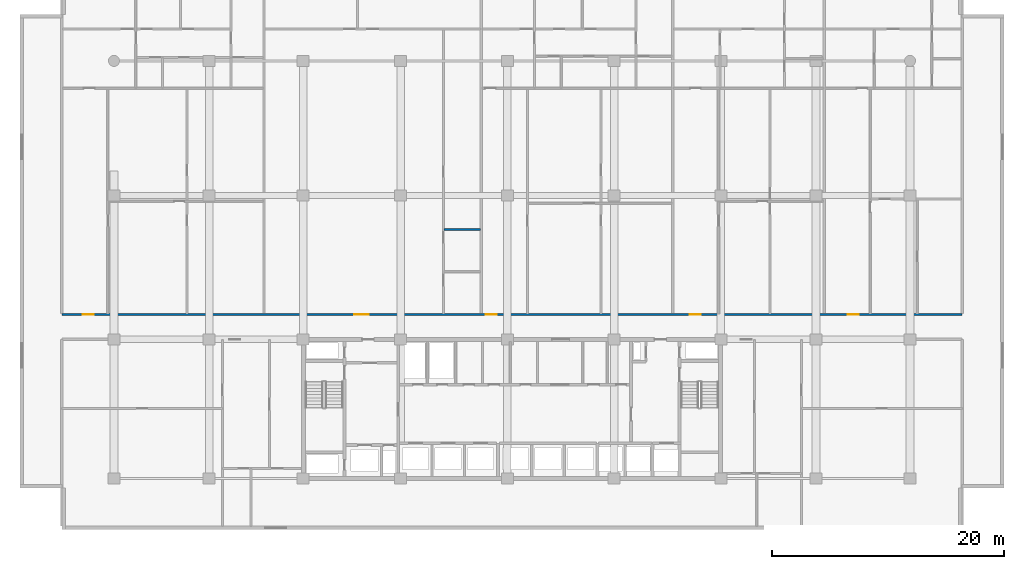
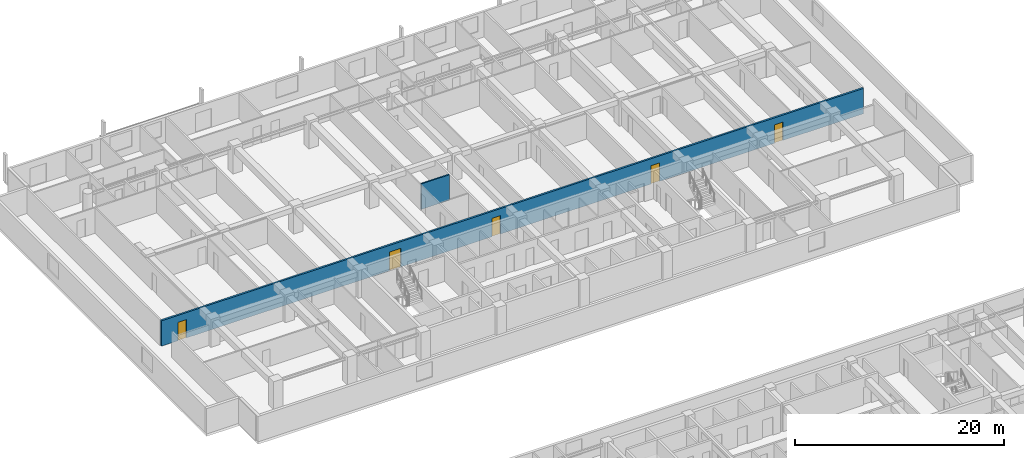
# One storey, part 13 of 23: 5 doors, 2 walls, 5 openings.
"""IFC4 building model written with IfcOpenShell, lengths in metres."""

import ifcopenshell
import ifcopenshell.guid

model = None  # the IFC model being written
_history = None  # IfcOwnerHistory: only IFC2X3 demands one
_inside = {}  # id of a spatial element -> (the spatial element, [elements in it])
_under = {}  # id of a project, library or spatial element -> (it, [spatial elements below it])
_declared = {}  # id of a project -> (the project, [libraries it declares])
_typed = {}  # id of a type object -> (the type object, [elements of that type])
_made_of = {}  # id of a material, layer set ... -> (it, [elements and type objects made of it])


def new_model(schema):
    """Start an empty IFC model of exactly this schema.

    Asked for "IFC4X3", IfcOpenShell would pick the latest addendum, in which some entities
    have other attributes; the version numbers below select the first issue.
    IFC2X3 requires an IfcOwnerHistory on every rooted entity: one is made here for all.
    """
    global model, _history
    if schema == "IFC4X3":
        model = ifcopenshell.file(schema_version=(4, 3, 0, 0))
    else:
        model = ifcopenshell.file(schema=schema)
    _inside.clear()
    _under.clear()
    _declared.clear()
    _typed.clear()
    _made_of.clear()
    _history = None
    if model.schema == "IFC2X3":
        org = make("IfcOrganization", Name="unknown")
        user = make(
            "IfcPersonAndOrganization",
            ThePerson=make("IfcPerson", FamilyName="unknown"),
            TheOrganization=org,
        )
        app = make(
            "IfcApplication",
            ApplicationDeveloper=org,
            Version="unknown",
            ApplicationFullName="unknown",
            ApplicationIdentifier="unknown",
        )
        _history = make(
            "IfcOwnerHistory",
            OwningUser=user,
            OwningApplication=app,
            ChangeAction="ADDED",
            CreationDate=0,
        )
    return model


def make(cls, **values):
    """One entity of the class cls with the attributes given. An attribute that is None is left unset."""
    return model.create_entity(
        cls, **{name: value for name, value in values.items() if value is not None}
    )


def rooted(cls, **values):
    """An entity with a GlobalId (a new one), such as an element, a storey or a relation."""
    return make(cls, GlobalId=ifcopenshell.guid.new(), OwnerHistory=_history, **values)


def si_unit(unit_type, name, prefix=None):
    """IfcSIUnit, for example si_unit("LENGTHUNIT", "METRE", prefix="MILLI")."""
    return make("IfcSIUnit", UnitType=unit_type, Prefix=prefix, Name=name)


def assignment(units):
    """IfcUnitAssignment: the units of a project."""
    return None if units is None else make("IfcUnitAssignment", Units=units)


def point(xyz):
    """IfcCartesianPoint."""
    return None if xyz is None else make("IfcCartesianPoint", Coordinates=xyz)


def direction(xyz):
    """IfcDirection."""
    return None if xyz is None else make("IfcDirection", DirectionRatios=xyz)


def frame(location, z_axis=None, x_axis=None):
    """IfcAxis2Placement3D, a coordinate frame: its origin and axes. An axis left out is left unset."""
    return make(
        "IfcAxis2Placement3D",
        Location=point(location),
        Axis=direction(z_axis),
        RefDirection=direction(x_axis),
    )


def frame_2d(location, x_axis=None):
    """IfcAxis2Placement2D, a coordinate frame in the plane: its origin and x axis."""
    return make(
        "IfcAxis2Placement2D", Location=point(location), RefDirection=direction(x_axis)
    )


def origin():
    """The frame at (0, 0, 0) with its axes left unset."""
    return frame((0.0, 0.0, 0.0))


def place(relative_to, where):
    """IfcLocalPlacement: puts the frame where relative to a parent placement (None: the world)."""
    return make(
        "IfcLocalPlacement", PlacementRelTo=relative_to, RelativePlacement=where
    )


def context(
    kind, dimensions, precision=None, world=None, true_north=None, identifier=None
):
    """IfcGeometricRepresentationContext, for example the 3D "Model" context."""
    return make(
        "IfcGeometricRepresentationContext",
        ContextIdentifier=identifier,
        ContextType=kind,
        CoordinateSpaceDimension=dimensions,
        Precision=precision,
        WorldCoordinateSystem=world,
        TrueNorth=true_north,
    )


def subcontext(parent, identifier, kind, view, scale=None):
    """IfcGeometricRepresentationSubContext, for example "Body" below "Model"."""
    return make(
        "IfcGeometricRepresentationSubContext",
        ContextIdentifier=identifier,
        ContextType=kind,
        ParentContext=parent,
        TargetScale=scale,
        TargetView=view,
    )


def project(units=None, contexts=None):
    """IfcProject with its units and contexts."""
    return rooted(
        "IfcProject",
        Name="project",
        RepresentationContexts=contexts,
        UnitsInContext=assignment(units),
    )


def spatial(cls, under=None, at=None, **own):
    """A site, building, storey or space (cls), placed at a placement, below another one or the project."""
    s = rooted(cls, ObjectPlacement=at, **own)
    if under is not None:
        _under.setdefault(under.id(), (under, []))[1].append(s)
    return s


def profile(cls, at=None, kind="AREA", **sizes):
    """A parametric profile (cls). Its sizes go by their IFC names, for example OverallWidth=200.0."""
    return make(cls, ProfileType=kind, Position=at, **sizes)


def rectangle(**sizes):
    """IfcRectangleProfileDef."""
    return profile("IfcRectangleProfileDef", **sizes)


def extrude(swept, where, along, depth):
    """IfcExtrudedAreaSolid: the profile swept, set in the frame where, extruded along a direction by depth."""
    return make(
        "IfcExtrudedAreaSolid",
        SweptArea=swept,
        Position=where,
        ExtrudedDirection=direction(along),
        Depth=depth,
    )


def shape(context_of_items, identifier, shape_type, items):
    """IfcShapeRepresentation: the items that make up one representation, for example the "Body"."""
    return make(
        "IfcShapeRepresentation",
        ContextOfItems=context_of_items,
        RepresentationIdentifier=identifier,
        RepresentationType=shape_type,
        Items=items,
    )


def material(Name=None, Category=None):
    """IfcMaterial."""
    return make("IfcMaterial", Name=Name, Category=Category)


def layer(
    of_material, thickness, ventilated=None, Name=None, Category=None, Priority=None
):
    """IfcMaterialLayer: one layer of a wall or slab, of a material (None: an air gap)."""
    return make(
        "IfcMaterialLayer",
        Material=of_material,
        LayerThickness=thickness,
        IsVentilated=ventilated,
        Name=Name,
        Category=Category,
        Priority=Priority,
    )


def layer_set(layers, Name=None):
    """IfcMaterialLayerSet."""
    return make("IfcMaterialLayerSet", MaterialLayers=layers, LayerSetName=Name)


def made_of(thing, what):
    """Note that an element or type object is made of a material, layer set ...; save() writes the relation."""
    if what is not None:
        _made_of.setdefault(what.id(), (what, []))[1].append(thing)
    return thing


def type_object(cls, material=None, **own):
    """A type object (cls), such as IfcWallType, which elements share."""
    return made_of(rooted(cls, **own), material)


def element(
    cls,
    number,
    at=None,
    inside=None,
    cuts=None,
    type_object=None,
    material=None,
    context=None,
    identifier="Body",
    shape_type=None,
    held_by="IfcProductDefinitionShape",
    body=None,
    shapes=None,
    **own,
):
    """One element of the class cls, such as IfcWall. Its Tag is "e" and its number.

    at: its placement. inside: the storey or other place that contains it. cuts: it is an
    opening in that element (IfcRelVoidsElement). A single representation is given by context,
    identifier, shape_type and body (its items); several are given by shapes. held_by: the class
    of the entity that holds the representations. save() writes the other relations.
    """
    e = rooted(cls, Tag="e%d" % number, ObjectPlacement=at, **own)
    if body is not None:
        shapes = [shape(context, identifier, shape_type, body)]
    if shapes is not None:
        e.Representation = make(held_by, Representations=shapes)
    if inside is not None:
        _inside.setdefault(inside.id(), (inside, []))[1].append(e)
    if cuts is not None:
        rooted(
            "IfcRelVoidsElement", RelatingBuildingElement=cuts, RelatedOpeningElement=e
        )
    if type_object is not None:
        _typed.setdefault(type_object.id(), (type_object, []))[1].append(e)
    return made_of(e, material)


def fill(opening, filler):
    """IfcRelFillsElement: the door or window that sits in an opening."""
    return rooted(
        "IfcRelFillsElement",
        RelatingOpeningElement=opening,
        RelatedBuildingElement=filler,
    )


def aggregate(whole, parts):
    """IfcRelAggregates: a whole, such as a stair, and the parts it consists of."""
    return rooted("IfcRelAggregates", RelatingObject=whole, RelatedObjects=parts)


def save(model, path):
    """Write the relations noted so far, then the file.

    IfcRelAggregates (storeys below a building ...), IfcRelContainedInSpatialStructure (elements
    in a storey), IfcRelDefinesByType, IfcRelAssociatesMaterial and IfcRelDeclares: one each for
    every whole, place, type object, material and project.
    """
    for whole, parts in _under.values():
        aggregate(whole, parts)
    for where, things in _inside.values():
        rooted(
            "IfcRelContainedInSpatialStructure",
            RelatedElements=things,
            RelatingStructure=where,
        )
    for kind, things in _typed.values():
        rooted("IfcRelDefinesByType", RelatedObjects=things, RelatingType=kind)
    for what, things in _made_of.values():
        rooted("IfcRelAssociatesMaterial", RelatedObjects=things, RelatingMaterial=what)
    for by, libraries in _declared.values():
        rooted("IfcRelDeclares", RelatingContext=by, RelatedDefinitions=libraries)
    model.write(path)


model = new_model("IFC4")

# Units and contexts
model_context = context("Model", 3, precision=1e-05, world=origin(), true_north=direction((0.0, 1.0)))
body_context = subcontext(model_context, "Body", "Model", "MODEL_VIEW")
ifc_project = project(units=[si_unit("LENGTHUNIT", "METRE"), si_unit("AREAUNIT", "SQUARE_METRE"), si_unit("VOLUMEUNIT", "CUBIC_METRE"), si_unit("PLANEANGLEUNIT", "RADIAN"), si_unit("MASSUNIT", "GRAM", prefix="KILO")], contexts=[model_context])

# Site, building, storey
site_placement = place(None, origin())
site = spatial("IfcSite", under=ifc_project, at=site_placement, CompositionType="ELEMENT")
building_placement = place(site_placement, origin())
building = spatial("IfcBuilding", under=site, at=building_placement, Name="Korimba Cascade Residences", CompositionType="ELEMENT")
storey_placement = place(building_placement, frame((0.0, 0.0, 69.5)))
storey = spatial("IfcBuildingStorey", under=building, at=storey_placement, Name="L19", CompositionType="ELEMENT", Elevation=69.5)

# Wall, openings, doors
ifc_material_1 = material(Name="Precast concrete C40/50", Category="concrete")
ifc_layer_1 = layer(ifc_material_1, 0.199951171875)
ifc_layer_set_1 = layer_set([ifc_layer_1], Name="Precast concrete C40/50")
wall_type_1 = type_object("IfcWallType", Name="WAL-IT-200", PredefinedType="PARTITIONING", material=ifc_layer_set_1)
wall_1_placement = place(storey_placement, frame((55.300048828125, 69.35009765625, 0.0), z_axis=(0.0, 0.0, 1.0), x_axis=(1.0, 0.0, 0.0)))
wall_1 = element("IfcWall", 1, at=wall_1_placement, inside=storey, type_object=wall_type_1, Name="L19 Partition Wall WAL-L19-T1-CORN", PredefinedType="PARTITIONING", context=body_context, shape_type="SweptSolid", body=[
    extrude(rectangle(XDim=77.599853515625, YDim=0.199951171875, at=frame_2d((38.7998046875, 0.0))), origin(), (0.0, 0.0, 1.0), 2.969970703125),
])
opening_1_placement = place(wall_1_placement, frame((1.81005859375, 0.0, 0.0)))
opening_1 = element("IfcOpeningElement", 2, at=opening_1_placement, cuts=wall_1, Name="Opening D-UN1", PredefinedType="OPENING", context=body_context, shape_type="SweptSolid", body=[
    extrude(rectangle(XDim=0.949951171875, YDim=2.14990234375, at=frame_2d((0.47509765625, 1.074951171875))), frame((0.0, 0.10986328125, 0.0), z_axis=(0.0, -1.0, 0.0), x_axis=(1.0, 0.0, 0.0)), (0.0, 0.0, 1.0), 0.219970703125),
])
opening_2_placement = place(wall_1_placement, frame((25.222412109375, 0.0, 0.0)))
opening_2 = element("IfcOpeningElement", 3, at=opening_2_placement, cuts=wall_1, Name="Opening D-AM1", PredefinedType="OPENING", context=body_context, shape_type="SweptSolid", body=[
    extrude(rectangle(XDim=1.219970703125, YDim=2.179931640625, at=frame_2d((0.60986328125, 1.08984375))), frame((0.0, 0.10986328125, 0.0), z_axis=(0.0, -1.0, 0.0), x_axis=(1.0, 0.0, 0.0)), (0.0, 0.0, 1.0), 0.219970703125),
])
opening_3_placement = place(wall_1_placement, frame((36.531005859375, 0.0, 0.0)))
opening_3 = element("IfcOpeningElement", 4, at=opening_3_placement, cuts=wall_1, Name="Opening D-UN1", PredefinedType="OPENING", context=body_context, shape_type="SweptSolid", body=[
    extrude(rectangle(XDim=0.949951171875, YDim=2.14990234375, at=frame_2d((0.47509765625, 1.074951171875))), frame((0.0, 0.10986328125, 0.0), z_axis=(0.0, -1.0, 0.0), x_axis=(1.0, 0.0, 0.0)), (0.0, 0.0, 1.0), 0.219970703125),
])
opening_4_placement = place(wall_1_placement, frame((54.122802734375, 0.0, 0.0)))
opening_4 = element("IfcOpeningElement", 5, at=opening_4_placement, cuts=wall_1, Name="Opening D-UN1", PredefinedType="OPENING", context=body_context, shape_type="SweptSolid", body=[
    extrude(rectangle(XDim=0.949951171875, YDim=2.14990234375, at=frame_2d((0.47509765625, 1.074951171875))), frame((0.0, 0.10986328125, 0.0), z_axis=(0.0, -1.0, 0.0), x_axis=(1.0, 0.0, 0.0)), (0.0, 0.0, 1.0), 0.219970703125),
])
opening_5_placement = place(wall_1_placement, frame((67.742431640625, 0.0, 0.0)))
opening_5 = element("IfcOpeningElement", 6, at=opening_5_placement, cuts=wall_1, Name="Opening D-UN1", PredefinedType="OPENING", context=body_context, shape_type="SweptSolid", body=[
    extrude(rectangle(XDim=0.949951171875, YDim=2.14990234375, at=frame_2d((0.47509765625, 1.074951171875))), frame((0.0, 0.10986328125, 0.0), z_axis=(0.0, -1.0, 0.0), x_axis=(1.0, 0.0, 0.0)), (0.0, 0.0, 1.0), 0.219970703125),
])
ifc_material_2 = material(Name="Fire-Rated Glazed Timber Suite Door", Category="wood")
door_type_1 = type_object("IfcDoorType", Name="DR-FD60-1200", OperationType="NOTDEFINED", PredefinedType="DOOR", material=ifc_material_2)
door_1_placement = place(opening_2_placement, origin())
door_1 = element("IfcDoor", 7, at=door_1_placement, inside=storey, type_object=door_type_1, Name="L19-T1-U02 Transfer Reception Foyer Door", OperationType="SINGLE_SWING_LEFT", OverallHeight=2.179931640625, OverallWidth=1.219970703125, PredefinedType="DOOR", context=body_context, shape_type="SweptSolid", body=[
    extrude(rectangle(XDim=1.219970703125, YDim=2.179931640625, at=frame_2d((0.60986328125, 1.08984375))), frame((0.0, 0.02490234375, 0.0), z_axis=(0.0, -1.0, 0.0), x_axis=(1.0, 0.0, 0.0)), (0.0, 0.0, 1.0), 0.050048828125),
])
fill(opening_2, door_1)
ifc_material_3 = material(Name="Fire-Rated Hardwood Apartment Entrance Door", Category="wood")
door_type_2 = type_object("IfcDoorType", Name="DR-FD60-950", OperationType="NOTDEFINED", PredefinedType="DOOR", material=ifc_material_3)
door_2_placement = place(opening_1_placement, origin())
door_2 = element("IfcDoor", 8, at=door_2_placement, inside=storey, type_object=door_type_2, Name="Unit L19-T1-U01 Entrance Door", OperationType="SINGLE_SWING_RIGHT", OverallHeight=2.14990234375, OverallWidth=0.949951171875, PredefinedType="DOOR", context=body_context, shape_type="SweptSolid", body=[
    extrude(rectangle(XDim=0.949951171875, YDim=2.14990234375, at=frame_2d((0.47509765625, 1.074951171875))), frame((0.0, 0.02490234375, 0.0), z_axis=(0.0, -1.0, 0.0), x_axis=(1.0, 0.0, 0.0)), (0.0, 0.0, 1.0), 0.050048828125),
])
fill(opening_1, door_2)
door_3_placement = place(opening_3_placement, origin())
door_3 = element("IfcDoor", 9, at=door_3_placement, inside=storey, type_object=door_type_2, Name="Unit L19-T1-U03 Entrance Door", OperationType="SINGLE_SWING_RIGHT", OverallHeight=2.14990234375, OverallWidth=0.949951171875, PredefinedType="DOOR", context=body_context, shape_type="SweptSolid", body=[
    extrude(rectangle(XDim=0.949951171875, YDim=2.14990234375, at=frame_2d((0.47509765625, 1.074951171875))), frame((0.0, 0.02490234375, 0.0), z_axis=(0.0, -1.0, 0.0), x_axis=(1.0, 0.0, 0.0)), (0.0, 0.0, 1.0), 0.050048828125),
])
fill(opening_3, door_3)
door_4_placement = place(opening_4_placement, origin())
door_4 = element("IfcDoor", 10, at=door_4_placement, inside=storey, type_object=door_type_2, Name="Unit L19-T1-U04 Entrance Door", OperationType="SINGLE_SWING_LEFT", OverallHeight=2.14990234375, OverallWidth=0.949951171875, PredefinedType="DOOR", context=body_context, shape_type="SweptSolid", body=[
    extrude(rectangle(XDim=0.949951171875, YDim=2.14990234375, at=frame_2d((0.47509765625, 1.074951171875))), frame((0.0, 0.02490234375, 0.0), z_axis=(0.0, -1.0, 0.0), x_axis=(1.0, 0.0, 0.0)), (0.0, 0.0, 1.0), 0.050048828125),
])
fill(opening_4, door_4)
door_5_placement = place(opening_5_placement, origin())
door_5 = element("IfcDoor", 11, at=door_5_placement, inside=storey, type_object=door_type_2, Name="Unit L19-T1-U05 Entrance Door", OperationType="SINGLE_SWING_RIGHT", OverallHeight=2.14990234375, OverallWidth=0.949951171875, PredefinedType="DOOR", context=body_context, shape_type="SweptSolid", body=[
    extrude(rectangle(XDim=0.949951171875, YDim=2.14990234375, at=frame_2d((0.47509765625, 1.074951171875))), frame((0.0, 0.02490234375, 0.0), z_axis=(0.0, -1.0, 0.0), x_axis=(1.0, 0.0, 0.0)), (0.0, 0.0, 1.0), 0.050048828125),
])
fill(opening_5, door_5)

# Wall
ifc_material_4 = material(Name="Insulated Acoustic Stud Partition", Category="gypsum")
ifc_layer_2 = layer(ifc_material_4, 0.14990234375)
ifc_layer_set_2 = layer_set([ifc_layer_2], Name="Insulated Acoustic Stud Partition")
wall_type_2 = type_object("IfcWallType", Name="WAL-PART-150", PredefinedType="PARTITIONING", material=ifc_layer_set_2)
wall_2_placement = place(storey_placement, frame((88.2509765625, 76.669921875, 0.0), z_axis=(0.0, 0.0, 1.0), x_axis=(1.0, 0.0, 0.0)))
element("IfcWall", 12, at=wall_2_placement, inside=storey, type_object=wall_type_2, Name="L19 Partition Wall WAL-L19-T1-U02-WCH2", PredefinedType="PARTITIONING", context=body_context, shape_type="SweptSolid", body=[
    extrude(rectangle(XDim=3.1298828125, YDim=0.14990234375, at=frame_2d((1.56494140625, 0.0))), origin(), (0.0, 0.0, 1.0), 2.969970703125),
])

save(model, "model.ifc")
